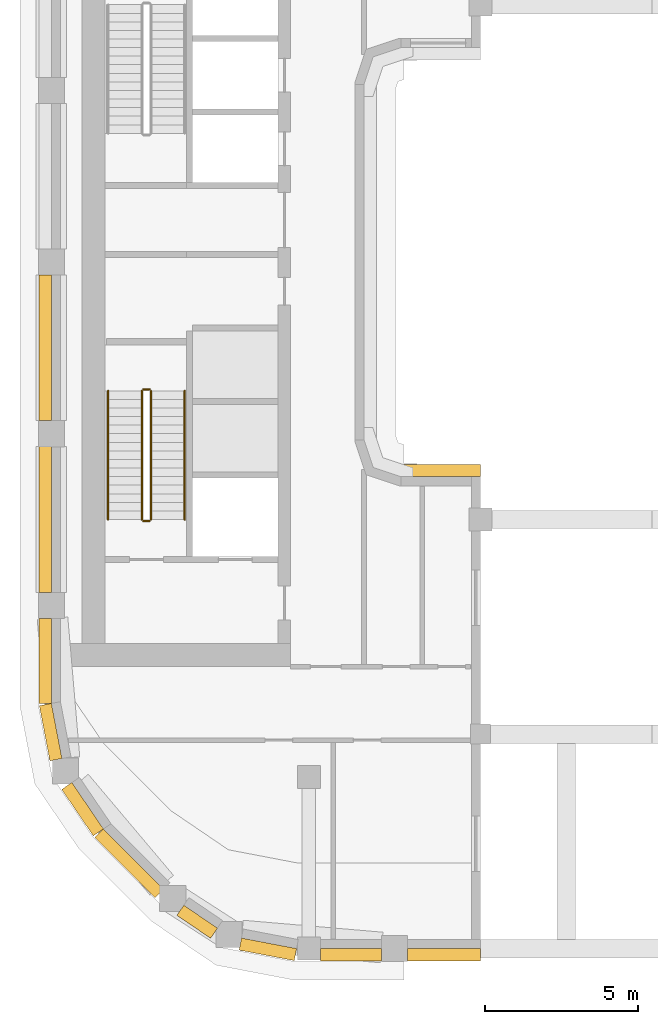
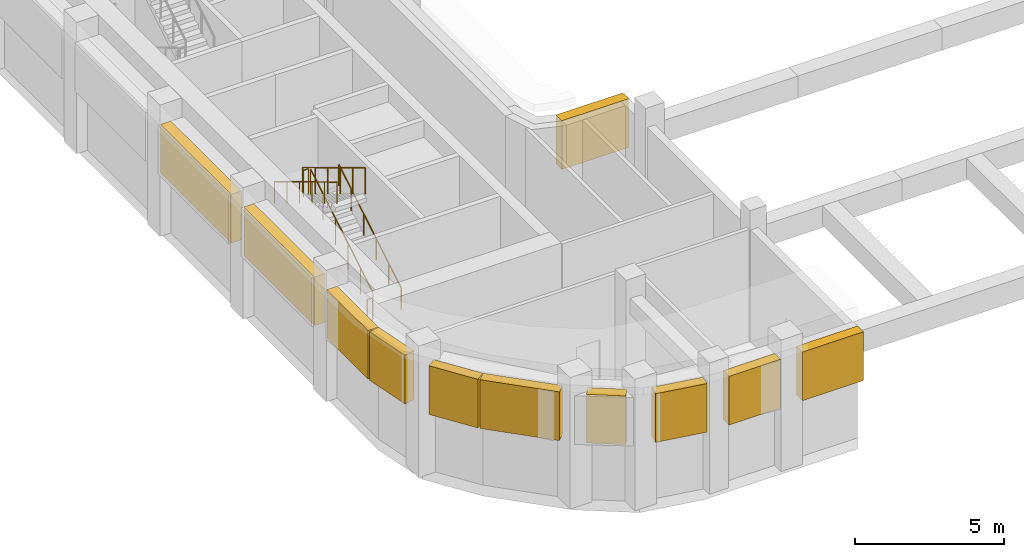
# One storey, part 7 of 13: 11 coverings, 6 railings.
"""IFC4 building model written with IfcOpenShell, lengths in metres."""

from ifc_helpers import new_model, si_unit, direction, frame, origin, origin_2d, place, context, subcontext, project, spatial, rectangle, circle, extrude, material, type_object, element, save


model = new_model("IFC4")

# Units and contexts
model_context = context("Model", 3, precision=1e-05, world=origin(), true_north=direction((0.0, 1.0)))
body_context = subcontext(model_context, "Body", "Model", "MODEL_VIEW")
ifc_project = project(units=[si_unit("LENGTHUNIT", "METRE"), si_unit("AREAUNIT", "SQUARE_METRE"), si_unit("VOLUMEUNIT", "CUBIC_METRE"), si_unit("PLANEANGLEUNIT", "RADIAN"), si_unit("MASSUNIT", "GRAM", prefix="KILO")], contexts=[model_context])

# Site, building, storey
site_placement = place(None, origin())
site = spatial("IfcSite", under=ifc_project, at=site_placement, CompositionType="ELEMENT")
building_placement = place(site_placement, origin())
building = spatial("IfcBuilding", under=site, at=building_placement, Name="Kiln Ring Residences", CompositionType="ELEMENT")
storey_placement = place(building_placement, frame((0.0, 0.0, 236.300048828125)))
storey = spatial("IfcBuildingStorey", under=building, at=storey_placement, Name="L61", CompositionType="ELEMENT", Elevation=236.300048828125)

# Railings
ifc_material_1 = material(Name="Stainless steel", Category="steel")
railing_type_1 = type_object("IfcRailingType", Name="CORE-STAIR-GUARD", PredefinedType="GUARDRAIL", material=ifc_material_1)
railing_1_placement = place(storey_placement, frame((-21.949951171875, -8.39990234375, 0.168701171875)))
element("IfcRailing", 1, at=railing_1_placement, inside=storey, type_object=railing_type_1, Name="L61 W-STS stair guard 1", PredefinedType="GUARDRAIL", context=body_context, shape_type="SweptSolid", body=[
    extrude(circle(Radius=0.02392578125, at=origin_2d()), frame((0.0, 0.0, 1.076171875), z_axis=(0.0, 0.856476492594, 0.516186030065), x_axis=(-1.0, 0.0, 0.0)), (0.0, 0.0, 1.0), 4.90380859375),
    extrude(circle(Radius=0.02099609375, at=origin_2d()), origin(), (0.0, 0.0, 1.0), 1.052001953125),
    extrude(circle(Radius=0.02099609375, at=origin_2d()), frame((0.0, 0.840087890625, 0.50634765625)), (0.0, 0.0, 1.0), 1.052001953125),
    extrude(circle(Radius=0.02099609375, at=origin_2d()), frame((0.0, 1.679931640625, 1.012451171875)), (0.0, 0.0, 1.0), 1.052001953125),
    extrude(circle(Radius=0.02099609375, at=origin_2d()), frame((0.0, 2.52001953125, 1.518798828125)), (0.0, 0.0, 1.0), 1.052001953125),
    extrude(circle(Radius=0.02099609375, at=origin_2d()), frame((0.0, 3.35986328125, 2.02490234375)), (0.0, 0.0, 1.0), 1.052001953125),
    extrude(circle(Radius=0.02099609375, at=origin_2d()), frame((0.0, 4.199951171875, 2.53125)), (0.0, 0.0, 1.0), 1.052001953125),
])
railing_2_placement = place(storey_placement, frame((-22.0, -4.14990234375, 2.699951171875)))
element("IfcRailing", 2, at=railing_2_placement, inside=storey, type_object=railing_type_1, Name="L61 W-STS stair guard 2", PredefinedType="GUARDRAIL", context=body_context, shape_type="SweptSolid", body=[
    extrude(circle(Radius=0.02392578125, at=origin_2d()), frame((0.0, 0.0, 1.076171875), z_axis=(-1.0, 0.0, 0.0), x_axis=(0.0, -1.0, 0.0)), (0.0, 0.0, 1.0), 0.199951171875),
    extrude(circle(Radius=0.02099609375, at=origin_2d()), origin(), (0.0, 0.0, 1.0), 1.052001953125),
    extrude(circle(Radius=0.02099609375, at=origin_2d()), frame((-0.199951171875, 0.0, 0.0)), (0.0, 0.0, 1.0), 1.052001953125),
])
railing_3_placement = place(storey_placement, frame((-22.25, -4.199951171875, 2.86865234375)))
element("IfcRailing", 3, at=railing_3_placement, inside=storey, type_object=railing_type_1, Name="L61 W-STS stair guard 3", PredefinedType="GUARDRAIL", context=body_context, shape_type="SweptSolid", body=[
    extrude(circle(Radius=0.02392578125, at=origin_2d()), frame((0.0, 0.0, 1.076171875), z_axis=(0.0, -0.856476492594, 0.516186030065), x_axis=(1.0, 0.0, 0.0)), (0.0, 0.0, 1.0), 4.90380859375),
    extrude(circle(Radius=0.02099609375, at=origin_2d()), origin(), (0.0, 0.0, 1.0), 1.052001953125),
    extrude(circle(Radius=0.02099609375, at=origin_2d()), frame((0.0, -0.840087890625, 0.50634765625)), (0.0, 0.0, 1.0), 1.052001953125),
    extrude(circle(Radius=0.02099609375, at=origin_2d()), frame((0.0, -1.679931640625, 1.012451171875)), (0.0, 0.0, 1.0), 1.052001953125),
    extrude(circle(Radius=0.02099609375, at=origin_2d()), frame((0.0, -2.52001953125, 1.518798828125)), (0.0, 0.0, 1.0), 1.052001953125),
    extrude(circle(Radius=0.02099609375, at=origin_2d()), frame((0.0, -3.35986328125, 2.02490234375)), (0.0, 0.0, 1.0), 1.052001953125),
    extrude(circle(Radius=0.02099609375, at=origin_2d()), frame((0.0, -4.199951171875, 2.53125)), (0.0, 0.0, 1.0), 1.052001953125),
])
railing_4_placement = place(storey_placement, frame((-22.0, -8.449951171875, 0.0)))
element("IfcRailing", 4, at=railing_4_placement, inside=storey, type_object=railing_type_1, Name="L61 W-STS stair guard 4", PredefinedType="GUARDRAIL", context=body_context, shape_type="SweptSolid", body=[
    extrude(circle(Radius=0.02392578125, at=origin_2d()), frame((0.0, 0.0, 1.076171875), z_axis=(-1.0, 0.0, 0.0), x_axis=(0.0, -1.0, 0.0)), (0.0, 0.0, 1.0), 0.199951171875),
    extrude(circle(Radius=0.02099609375, at=origin_2d()), origin(), (0.0, 0.0, 1.0), 1.052001953125),
    extrude(circle(Radius=0.02099609375, at=origin_2d()), frame((-0.199951171875, 0.0, 0.0)), (0.0, 0.0, 1.0), 1.052001953125),
])
ifc_material_2 = material(Name="Stainless steel", Category="steel")
railing_type_2 = type_object("IfcRailingType", Name="CORE-STAIR-HANDRAIL", PredefinedType="HANDRAIL", material=ifc_material_2)
railing_5_placement = place(storey_placement, frame((-20.85009765625, -8.39990234375, 0.168701171875)))
element("IfcRailing", 5, at=railing_5_placement, inside=storey, type_object=railing_type_2, Name="L61 W-STS stair handrail 1", PredefinedType="HANDRAIL", context=body_context, shape_type="SweptSolid", body=[
    extrude(circle(Radius=0.02392578125, at=origin_2d()), frame((0.0, 0.0, 0.8759765625), z_axis=(0.0, 0.856476492594, 0.516186030065), x_axis=(-1.0, 0.0, 0.0)), (0.0, 0.0, 1.0), 4.90380859375),
    extrude(circle(Radius=0.02099609375, at=origin_2d()), origin(), (0.0, 0.0, 1.0), 0.851806640625),
    extrude(circle(Radius=0.02099609375, at=origin_2d()), frame((0.0, 0.840087890625, 0.50634765625)), (0.0, 0.0, 1.0), 0.851806640625),
    extrude(circle(Radius=0.02099609375, at=origin_2d()), frame((0.0, 1.679931640625, 1.012451171875)), (0.0, 0.0, 1.0), 0.851806640625),
    extrude(circle(Radius=0.02099609375, at=origin_2d()), frame((0.0, 2.52001953125, 1.518798828125)), (0.0, 0.0, 1.0), 0.851806640625),
    extrude(circle(Radius=0.02099609375, at=origin_2d()), frame((0.0, 3.35986328125, 2.02490234375)), (0.0, 0.0, 1.0), 0.851806640625),
    extrude(circle(Radius=0.02099609375, at=origin_2d()), frame((0.0, 4.199951171875, 2.53125)), (0.0, 0.0, 1.0), 0.851806640625),
])
railing_6_placement = place(storey_placement, frame((-23.35009765625, -4.199951171875, 2.86865234375)))
element("IfcRailing", 6, at=railing_6_placement, inside=storey, type_object=railing_type_2, Name="L61 W-STS stair handrail 2", PredefinedType="HANDRAIL", context=body_context, shape_type="SweptSolid", body=[
    extrude(circle(Radius=0.02392578125, at=origin_2d()), frame((0.0, 0.0, 0.8759765625), z_axis=(0.0, -0.856476492594, 0.516186030065), x_axis=(1.0, 0.0, 0.0)), (0.0, 0.0, 1.0), 4.90380859375),
    extrude(circle(Radius=0.02099609375, at=origin_2d()), origin(), (0.0, 0.0, 1.0), 0.851806640625),
    extrude(circle(Radius=0.02099609375, at=origin_2d()), frame((0.0, -0.840087890625, 0.50634765625)), (0.0, 0.0, 1.0), 0.851806640625),
    extrude(circle(Radius=0.02099609375, at=origin_2d()), frame((0.0, -1.679931640625, 1.012451171875)), (0.0, 0.0, 1.0), 0.851806640625),
    extrude(circle(Radius=0.02099609375, at=origin_2d()), frame((0.0, -2.52001953125, 1.518798828125)), (0.0, 0.0, 1.0), 0.851806640625),
    extrude(circle(Radius=0.02099609375, at=origin_2d()), frame((0.0, -3.35986328125, 2.02490234375)), (0.0, 0.0, 1.0), 0.851806640625),
    extrude(circle(Radius=0.02099609375, at=origin_2d()), frame((0.0, -4.199951171875, 2.53125)), (0.0, 0.0, 1.0), 0.851806640625),
])

# Coverings
ifc_material_3 = material(Name="Concrete C35/45, exposed aggregate finish", Category="concrete")
covering_type = type_object("IfcCoveringType", Name="TIE BAND 2000 x 400", PredefinedType="CLADDING", material=ifc_material_3)
for number, where, z_axis, x_axis, name in (
    (7, (-25.224853515625, -15.3369140625, 2.599853515625), (0.0, 0.0, 1.0), (0.187365550382, -0.98229025778, 0.0), "TIE BAND L61"),
    (8, (-24.182861328125, -17.852294921875, 2.599853515625), (0.0, 0.0, 1.0), (0.562096651134, -0.827071553606, 0.0), "TIE BAND L61"),
):
    element("IfcCovering", number, at=place(storey_placement, frame(where, z_axis=z_axis, x_axis=x_axis)), inside=storey, type_object=covering_type, Name=name, PredefinedType="CLADDING", context=body_context, shape_type="SweptSolid", body=[
        extrude(rectangle(XDim=1.8310546875, YDim=0.39990234375, at=origin_2d()), origin(), (0.0, 0.0, 1.0), 2.0),
    ])
covering_1_placement = place(storey_placement, frame((-22.663330078125, -19.61962890625, 2.599853515625), z_axis=(0.0, 0.0, 1.0), x_axis=(0.707106781187, -0.707106781187, 0.0)))
element("IfcCovering", 9, at=covering_1_placement, inside=storey, type_object=covering_type, Name="TIE BAND L61", PredefinedType="CLADDING", context=body_context, shape_type="SweptSolid", body=[
    extrude(rectangle(XDim=2.77490234375, YDim=0.39990234375, at=origin_2d()), origin(), (0.0, 0.0, 1.0), 2.0),
])
covering_2_placement = place(storey_placement, frame((-20.44384765625, -21.524658203125, 2.599853515625), z_axis=(0.0, 0.0, 1.0), x_axis=(0.827071553606, -0.562096651134, 0.0)))
element("IfcCovering", 10, at=covering_2_placement, inside=storey, type_object=covering_type, Name="TIE BAND L61", PredefinedType="CLADDING", context=body_context, shape_type="SweptSolid", body=[
    extrude(rectangle(XDim=1.3271484375, YDim=0.39990234375, at=origin_2d()), origin(), (0.0, 0.0, 1.0), 2.0),
])
covering_3_placement = place(storey_placement, frame((-18.13671875, -22.4248046875, 2.599853515625), z_axis=(0.0, 0.0, 1.0), x_axis=(0.98229025778, -0.187365550382, 0.0)))
element("IfcCovering", 11, at=covering_3_placement, inside=storey, type_object=covering_type, Name="TIE BAND L61", PredefinedType="CLADDING", context=body_context, shape_type="SweptSolid", body=[
    extrude(rectangle(XDim=1.8310546875, YDim=0.39990234375, at=origin_2d()), origin(), (0.0, 0.0, 1.0), 2.0),
])
covering_4_placement = place(storey_placement, frame((-15.425048828125, -22.60009765625, 2.599853515625), z_axis=(0.0, 0.0, 1.0), x_axis=(1.0, 0.0, 0.0)))
element("IfcCovering", 12, at=covering_4_placement, inside=storey, type_object=covering_type, Name="TIE BAND L61", PredefinedType="CLADDING", context=body_context, shape_type="SweptSolid", body=[
    extrude(rectangle(XDim=2.0, YDim=0.39990234375, at=origin_2d()), origin(), (0.0, 0.0, 1.0), 2.0),
])
covering_5_placement = place(storey_placement, frame((-12.387451171875, -22.60009765625, 2.599853515625), z_axis=(0.0, 0.0, 1.0), x_axis=(1.0, 0.0, 0.0)))
element("IfcCovering", 13, at=covering_5_placement, inside=storey, type_object=covering_type, Name="TIE BAND L61", PredefinedType="CLADDING", context=body_context, shape_type="SweptSolid", body=[
    extrude(rectangle(XDim=2.375, YDim=0.39990234375, at=origin_2d()), origin(), (0.0, 0.0, 1.0), 2.0),
])
covering_6_placement = place(storey_placement, frame((-12.5, -6.800048828125, 2.599853515625), z_axis=(0.0, 0.0, 1.0), x_axis=(-1.0, 0.0, 0.0)))
element("IfcCovering", 14, at=covering_6_placement, inside=storey, type_object=covering_type, Name="TIE BAND L61", PredefinedType="CLADDING", context=body_context, shape_type="SweptSolid", body=[
    extrude(rectangle(XDim=2.60009765625, YDim=0.39990234375, at=origin_2d()), origin(), (0.0, 0.0, 1.0), 2.0),
])
for number, where, z_axis, x_axis, name in (
    (15, (-25.39990234375, -2.800048828125, 2.599853515625), (0.0, 0.0, 1.0), (0.0, -1.0, 0.0), "TIE BAND L61"),
    (16, (-25.39990234375, -8.39990234375, 2.599853515625), (0.0, 0.0, 1.0), (0.0, -1.0, 0.0), "TIE BAND L61"),
):
    element("IfcCovering", number, at=place(storey_placement, frame(where, z_axis=z_axis, x_axis=x_axis)), inside=storey, type_object=covering_type, Name=name, PredefinedType="CLADDING", context=body_context, shape_type="SweptSolid", body=[
        extrude(rectangle(XDim=4.75, YDim=0.39990234375, at=origin_2d()), origin(), (0.0, 0.0, 1.0), 2.0),
    ])
covering_7_placement = place(storey_placement, frame((-25.39990234375, -13.012451171875, 2.599853515625), z_axis=(0.0, 0.0, 1.0), x_axis=(0.0, -1.0, 0.0)))
element("IfcCovering", 17, at=covering_7_placement, inside=storey, type_object=covering_type, Name="TIE BAND L61", PredefinedType="CLADDING", context=body_context, shape_type="SweptSolid", body=[
    extrude(rectangle(XDim=2.77490234375, YDim=0.39990234375, at=origin_2d()), origin(), (0.0, 0.0, 1.0), 2.0),
])

save(model, "model.ifc")
